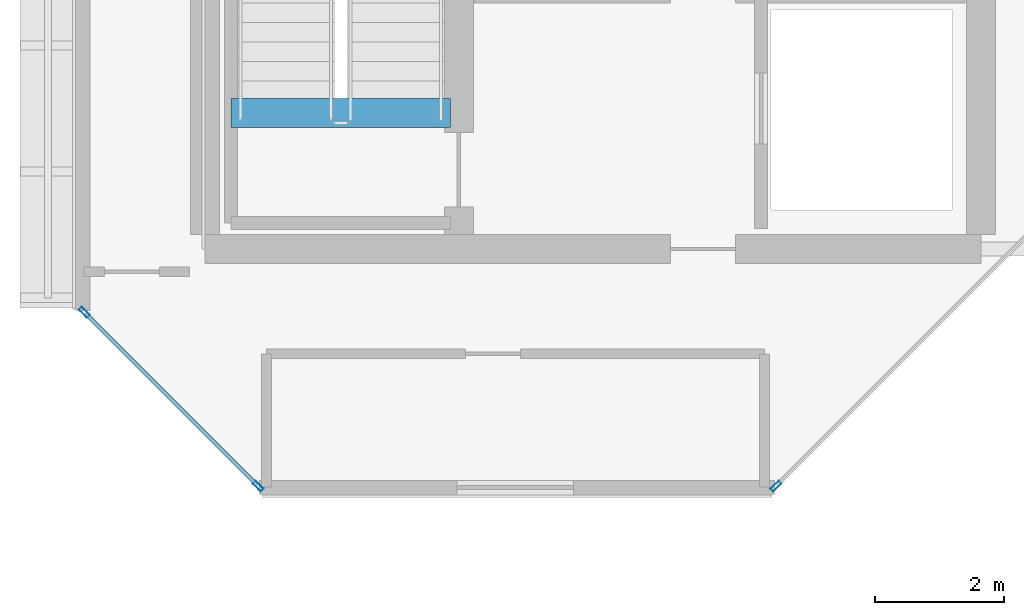
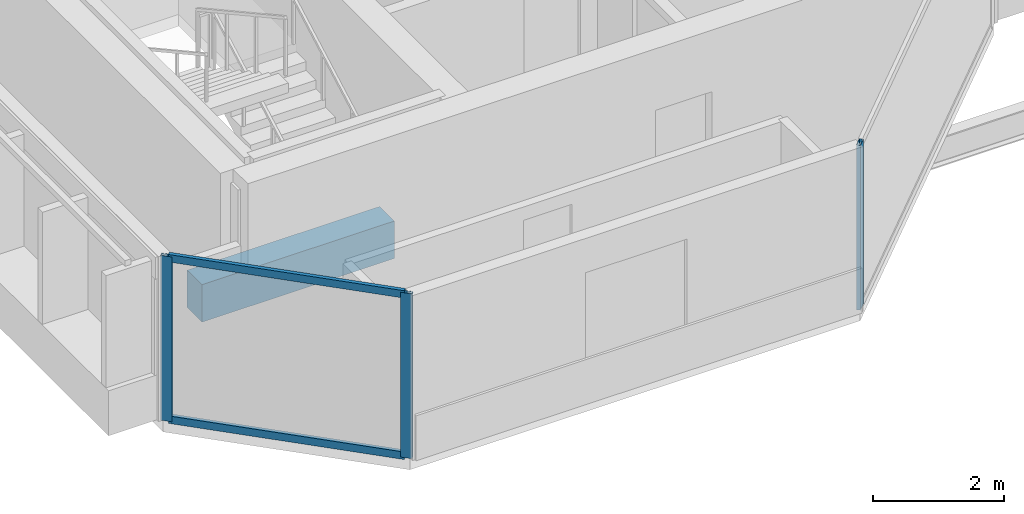
# One storey, part 2 of 29: 5 members, 1 beam, 2 elements without a shape of their own.
"""IFC4 building model written with IfcOpenShell, lengths in metres."""

import ifcopenshell
import ifcopenshell.guid

model = None  # the IFC model being written
_history = None  # IfcOwnerHistory: only IFC2X3 demands one
_inside = {}  # id of a spatial element -> (the spatial element, [elements in it])
_under = {}  # id of a project, library or spatial element -> (it, [spatial elements below it])
_declared = {}  # id of a project -> (the project, [libraries it declares])
_typed = {}  # id of a type object -> (the type object, [elements of that type])
_made_of = {}  # id of a material, layer set ... -> (it, [elements and type objects made of it])


def new_model(schema):
    """Start an empty IFC model of exactly this schema.

    Asked for "IFC4X3", IfcOpenShell would pick the latest addendum, in which some entities
    have other attributes; the version numbers below select the first issue.
    IFC2X3 requires an IfcOwnerHistory on every rooted entity: one is made here for all.
    """
    global model, _history
    if schema == "IFC4X3":
        model = ifcopenshell.file(schema_version=(4, 3, 0, 0))
    else:
        model = ifcopenshell.file(schema=schema)
    _inside.clear()
    _under.clear()
    _declared.clear()
    _typed.clear()
    _made_of.clear()
    _history = None
    if model.schema == "IFC2X3":
        org = make("IfcOrganization", Name="unknown")
        user = make(
            "IfcPersonAndOrganization",
            ThePerson=make("IfcPerson", FamilyName="unknown"),
            TheOrganization=org,
        )
        app = make(
            "IfcApplication",
            ApplicationDeveloper=org,
            Version="unknown",
            ApplicationFullName="unknown",
            ApplicationIdentifier="unknown",
        )
        _history = make(
            "IfcOwnerHistory",
            OwningUser=user,
            OwningApplication=app,
            ChangeAction="ADDED",
            CreationDate=0,
        )
    return model


def make(cls, **values):
    """One entity of the class cls with the attributes given. An attribute that is None is left unset."""
    return model.create_entity(
        cls, **{name: value for name, value in values.items() if value is not None}
    )


def rooted(cls, **values):
    """An entity with a GlobalId (a new one), such as an element, a storey or a relation."""
    return make(cls, GlobalId=ifcopenshell.guid.new(), OwnerHistory=_history, **values)


def si_unit(unit_type, name, prefix=None):
    """IfcSIUnit, for example si_unit("LENGTHUNIT", "METRE", prefix="MILLI")."""
    return make("IfcSIUnit", UnitType=unit_type, Prefix=prefix, Name=name)


def assignment(units):
    """IfcUnitAssignment: the units of a project."""
    return None if units is None else make("IfcUnitAssignment", Units=units)


def point(xyz):
    """IfcCartesianPoint."""
    return None if xyz is None else make("IfcCartesianPoint", Coordinates=xyz)


def direction(xyz):
    """IfcDirection."""
    return None if xyz is None else make("IfcDirection", DirectionRatios=xyz)


def frame(location, z_axis=None, x_axis=None):
    """IfcAxis2Placement3D, a coordinate frame: its origin and axes. An axis left out is left unset."""
    return make(
        "IfcAxis2Placement3D",
        Location=point(location),
        Axis=direction(z_axis),
        RefDirection=direction(x_axis),
    )


def frame_2d(location, x_axis=None):
    """IfcAxis2Placement2D, a coordinate frame in the plane: its origin and x axis."""
    return make(
        "IfcAxis2Placement2D", Location=point(location), RefDirection=direction(x_axis)
    )


def origin():
    """The frame at (0, 0, 0) with its axes left unset."""
    return frame((0.0, 0.0, 0.0))


def origin_2d():
    """The frame at (0, 0) in the plane with its x axis left unset."""
    return frame_2d((0.0, 0.0))


def place(relative_to, where):
    """IfcLocalPlacement: puts the frame where relative to a parent placement (None: the world)."""
    return make(
        "IfcLocalPlacement", PlacementRelTo=relative_to, RelativePlacement=where
    )


def context(
    kind, dimensions, precision=None, world=None, true_north=None, identifier=None
):
    """IfcGeometricRepresentationContext, for example the 3D "Model" context."""
    return make(
        "IfcGeometricRepresentationContext",
        ContextIdentifier=identifier,
        ContextType=kind,
        CoordinateSpaceDimension=dimensions,
        Precision=precision,
        WorldCoordinateSystem=world,
        TrueNorth=true_north,
    )


def subcontext(parent, identifier, kind, view, scale=None):
    """IfcGeometricRepresentationSubContext, for example "Body" below "Model"."""
    return make(
        "IfcGeometricRepresentationSubContext",
        ContextIdentifier=identifier,
        ContextType=kind,
        ParentContext=parent,
        TargetScale=scale,
        TargetView=view,
    )


def project(units=None, contexts=None):
    """IfcProject with its units and contexts."""
    return rooted(
        "IfcProject",
        Name="project",
        RepresentationContexts=contexts,
        UnitsInContext=assignment(units),
    )


def spatial(cls, under=None, at=None, **own):
    """A site, building, storey or space (cls), placed at a placement, below another one or the project."""
    s = rooted(cls, ObjectPlacement=at, **own)
    if under is not None:
        _under.setdefault(under.id(), (under, []))[1].append(s)
    return s


def profile(cls, at=None, kind="AREA", **sizes):
    """A parametric profile (cls). Its sizes go by their IFC names, for example OverallWidth=200.0."""
    return make(cls, ProfileType=kind, Position=at, **sizes)


def rectangle(**sizes):
    """IfcRectangleProfileDef."""
    return profile("IfcRectangleProfileDef", **sizes)


def hollow_rectangle(**sizes):
    """IfcRectangleHollowProfileDef."""
    return profile("IfcRectangleHollowProfileDef", **sizes)


def extrude(swept, where, along, depth):
    """IfcExtrudedAreaSolid: the profile swept, set in the frame where, extruded along a direction by depth."""
    return make(
        "IfcExtrudedAreaSolid",
        SweptArea=swept,
        Position=where,
        ExtrudedDirection=direction(along),
        Depth=depth,
    )


def shape(context_of_items, identifier, shape_type, items):
    """IfcShapeRepresentation: the items that make up one representation, for example the "Body"."""
    return make(
        "IfcShapeRepresentation",
        ContextOfItems=context_of_items,
        RepresentationIdentifier=identifier,
        RepresentationType=shape_type,
        Items=items,
    )


def material(Name=None, Category=None):
    """IfcMaterial."""
    return make("IfcMaterial", Name=Name, Category=Category)


def layer(
    of_material, thickness, ventilated=None, Name=None, Category=None, Priority=None
):
    """IfcMaterialLayer: one layer of a wall or slab, of a material (None: an air gap)."""
    return make(
        "IfcMaterialLayer",
        Material=of_material,
        LayerThickness=thickness,
        IsVentilated=ventilated,
        Name=Name,
        Category=Category,
        Priority=Priority,
    )


def layer_set(layers, Name=None):
    """IfcMaterialLayerSet."""
    return make("IfcMaterialLayerSet", MaterialLayers=layers, LayerSetName=Name)


def material_profile(
    of_material, cross_section, Name=None, Category=None, Priority=None
):
    """IfcMaterialProfile: a cross section and its material."""
    return make(
        "IfcMaterialProfile",
        Name=Name,
        Material=of_material,
        Profile=cross_section,
        Priority=Priority,
        Category=Category,
    )


def profile_set(profiles, Name=None, composite=None):
    """IfcMaterialProfileSet."""
    return make(
        "IfcMaterialProfileSet",
        Name=Name,
        MaterialProfiles=profiles,
        CompositeProfile=composite,
    )


def made_of(thing, what):
    """Note that an element or type object is made of a material, layer set ...; save() writes the relation."""
    if what is not None:
        _made_of.setdefault(what.id(), (what, []))[1].append(thing)
    return thing


def type_object(cls, material=None, **own):
    """A type object (cls), such as IfcWallType, which elements share."""
    return made_of(rooted(cls, **own), material)


def element(
    cls,
    number,
    at=None,
    inside=None,
    cuts=None,
    type_object=None,
    material=None,
    context=None,
    identifier="Body",
    shape_type=None,
    held_by="IfcProductDefinitionShape",
    body=None,
    shapes=None,
    **own,
):
    """One element of the class cls, such as IfcWall. Its Tag is "e" and its number.

    at: its placement. inside: the storey or other place that contains it. cuts: it is an
    opening in that element (IfcRelVoidsElement). A single representation is given by context,
    identifier, shape_type and body (its items); several are given by shapes. held_by: the class
    of the entity that holds the representations. save() writes the other relations.
    """
    e = rooted(cls, Tag="e%d" % number, ObjectPlacement=at, **own)
    if body is not None:
        shapes = [shape(context, identifier, shape_type, body)]
    if shapes is not None:
        e.Representation = make(held_by, Representations=shapes)
    if inside is not None:
        _inside.setdefault(inside.id(), (inside, []))[1].append(e)
    if cuts is not None:
        rooted(
            "IfcRelVoidsElement", RelatingBuildingElement=cuts, RelatedOpeningElement=e
        )
    if type_object is not None:
        _typed.setdefault(type_object.id(), (type_object, []))[1].append(e)
    return made_of(e, material)


def aggregate(whole, parts):
    """IfcRelAggregates: a whole, such as a stair, and the parts it consists of."""
    return rooted("IfcRelAggregates", RelatingObject=whole, RelatedObjects=parts)


def save(model, path):
    """Write the relations noted so far, then the file.

    IfcRelAggregates (storeys below a building ...), IfcRelContainedInSpatialStructure (elements
    in a storey), IfcRelDefinesByType, IfcRelAssociatesMaterial and IfcRelDeclares: one each for
    every whole, place, type object, material and project.
    """
    for whole, parts in _under.values():
        aggregate(whole, parts)
    for where, things in _inside.values():
        rooted(
            "IfcRelContainedInSpatialStructure",
            RelatedElements=things,
            RelatingStructure=where,
        )
    for kind, things in _typed.values():
        rooted("IfcRelDefinesByType", RelatedObjects=things, RelatingType=kind)
    for what, things in _made_of.values():
        rooted("IfcRelAssociatesMaterial", RelatedObjects=things, RelatingMaterial=what)
    for by, libraries in _declared.values():
        rooted("IfcRelDeclares", RelatingContext=by, RelatedDefinitions=libraries)
    model.write(path)


model = new_model("IFC4")

# Units and contexts
model_context = context("Model", 3, precision=1e-05, world=origin(), true_north=direction((0.0, 1.0)))
body_context = subcontext(model_context, "Body", "Model", "MODEL_VIEW")
ifc_project = project(units=[si_unit("LENGTHUNIT", "METRE"), si_unit("AREAUNIT", "SQUARE_METRE"), si_unit("VOLUMEUNIT", "CUBIC_METRE"), si_unit("PLANEANGLEUNIT", "RADIAN"), si_unit("MASSUNIT", "GRAM", prefix="KILO")], contexts=[model_context])

# Site, building, storey
site_placement = place(None, origin())
site = spatial("IfcSite", under=ifc_project, at=site_placement, CompositionType="ELEMENT")
building_placement = place(site_placement, origin())
building = spatial("IfcBuilding", under=site, at=building_placement, Name="Tanjung Sevakor Pilgrim Tower", CompositionType="ELEMENT")
storey_placement = place(building_placement, frame((0.0, 0.0, 232.64990234375)))
storey = spatial("IfcBuildingStorey", under=building, at=storey_placement, Name="L65", CompositionType="ELEMENT", Elevation=232.64990234375)

# Beam
ifc_material_1 = material(Name="Concrete C60/75", Category="concrete")
ifc_material_profile_1 = material_profile(ifc_material_1, rectangle(XDim=0.449951171875, YDim=0.699951171875, at=origin_2d()))
ifc_profile_set_1 = profile_set([ifc_material_profile_1], Name="Concrete C60/75")
beam_type = type_object("IfcBeamType", Name="BM-B-LN3-RC-BM_450x700", PredefinedType="LINTEL", material=ifc_profile_set_1)
beam_placement = place(storey_placement, frame((24.39990234375, 26.699951171875, -0.349853515625), z_axis=(1.0, 0.0, 0.0), x_axis=(0.0, 1.0, 0.0)))
element("IfcBeam", 1, at=beam_placement, inside=storey, type_object=beam_type, Name="L65 TS-W1 Stair Threshold Beam", PredefinedType="LINTEL", context=body_context, shape_type="SweptSolid", body=[
    extrude(rectangle(XDim=0.449951171875, YDim=0.699951171875, at=origin_2d()), origin(), (0.0, 0.0, 1.0), 3.400146484375),
])

# Curtain wall, member
ifc_material_2 = material(Name="Aluminium 6063-T6 and Low-E Glass", Category="aluminium")
ifc_layer = layer(ifc_material_2, 0.179931640625)
ifc_layer_set = layer_set([ifc_layer], Name="CW-SYS-CHAM")
curtain_wall_type = type_object("IfcCurtainWallType", Name="CW-SYS-CHAM", PredefinedType="NOTDEFINED", material=ifc_layer_set)
curtain_wall_1_placement = place(storey_placement, origin())
curtain_wall_1 = element("IfcCurtainWall", 2, at=curtain_wall_1_placement, inside=storey, type_object=curtain_wall_type, Name="L65 Curtain Wall CW-CHM-L65-WEST-1", PredefinedType="NOTDEFINED")
ifc_material_3 = material(Name="Aluminium 6063-T6", Category="aluminium")
ifc_material_profile_2 = material_profile(ifc_material_3, hollow_rectangle(XDim=0.06494140625, YDim=0.179931640625, WallThickness=0.00390625, at=origin_2d()))
ifc_profile_set_2 = profile_set([ifc_material_profile_2], Name="Aluminium 6063-T6")
member_type_1 = type_object("IfcMemberType", Name="TYPE-CWM-1", PredefinedType="MULLION", material=ifc_profile_set_2)
member_1_placement = place(storey_placement, frame((32.827392578125, 20.932861328125, 0.0), z_axis=(0.0, 0.0, 1.0), x_axis=(-0.707106781187, 0.707106781187, 0.0)))
member_1 = element("IfcMember", 3, at=member_1_placement, type_object=member_type_1, Name="CW-CHM mullion 1", PredefinedType="MULLION", context=body_context, shape_type="SweptSolid", body=[
    extrude(hollow_rectangle(XDim=0.06494140625, YDim=0.179931640625, WallThickness=0.00390625, at=origin_2d()), origin(), (0.0, 0.0, 1.0), 3.080078125),
])
aggregate(curtain_wall_1, [member_1])

# Curtain wall, members
curtain_wall_2_placement = place(storey_placement, origin())
curtain_wall_2 = element("IfcCurtainWall", 4, at=curtain_wall_2_placement, inside=storey, type_object=curtain_wall_type, Name="L65 Curtain Wall CW-CHM-L65-WEST-7", PredefinedType="NOTDEFINED")
member_2_placement = place(storey_placement, frame((22.133056640625, 23.62255859375, 0.0), z_axis=(0.0, 0.0, 1.0), x_axis=(0.707106781187, 0.707106781187, 0.0)))
member_2 = element("IfcMember", 5, at=member_2_placement, type_object=member_type_1, Name="CW-CHM mullion 1", PredefinedType="MULLION", context=body_context, shape_type="SweptSolid", body=[
    extrude(hollow_rectangle(XDim=0.06494140625, YDim=0.179931640625, WallThickness=0.00390625, at=origin_2d()), origin(), (0.0, 0.0, 1.0), 3.080078125),
])
member_3_placement = place(storey_placement, frame((24.822509765625, 20.932861328125, 0.0), z_axis=(0.0, 0.0, 1.0), x_axis=(0.707106781187, 0.707106781187, 0.0)))
member_3 = element("IfcMember", 6, at=member_3_placement, type_object=member_type_1, Name="CW-CHM mullion 2", PredefinedType="MULLION", context=body_context, shape_type="SweptSolid", body=[
    extrude(hollow_rectangle(XDim=0.06494140625, YDim=0.179931640625, WallThickness=0.00390625, at=origin_2d()), origin(), (0.0, 0.0, 1.0), 3.080078125),
])
ifc_material_4 = material(Name="Aluminium 6063-T6", Category="aluminium")
ifc_material_profile_3 = material_profile(ifc_material_4, hollow_rectangle(XDim=0.06494140625, YDim=0.139892578125, WallThickness=0.00390625, at=origin_2d()))
ifc_profile_set_3 = profile_set([ifc_material_profile_3], Name="Aluminium 6063-T6")
member_type_2 = type_object("IfcMemberType", Name="TYPE-CWT-1", PredefinedType="USERDEFINED", material=ifc_profile_set_3)
member_4_placement = place(storey_placement, frame((22.156005859375, 23.599609375, 0.03271484375), z_axis=(0.707106781187, -0.707106781187, 0.0), x_axis=(0.707106781187, 0.707106781187, 0.0)))
member_4 = element("IfcMember", 7, at=member_4_placement, type_object=member_type_2, Name="CW-CHM transom 1.1", ObjectType="TRANSOM", PredefinedType="USERDEFINED", context=body_context, shape_type="SweptSolid", body=[
    extrude(hollow_rectangle(XDim=0.06494140625, YDim=0.139892578125, WallThickness=0.00390625, at=origin_2d()), origin(), (0.0, 0.0, 1.0), 3.738525390625),
])
member_5_placement = place(storey_placement, frame((22.156005859375, 23.599609375, 3.047607421875), z_axis=(0.707106781187, -0.707106781187, 0.0), x_axis=(0.707106781187, 0.707106781187, 0.0)))
member_5 = element("IfcMember", 8, at=member_5_placement, type_object=member_type_2, Name="CW-CHM transom 1.2", ObjectType="TRANSOM", PredefinedType="USERDEFINED", context=body_context, shape_type="SweptSolid", body=[
    extrude(hollow_rectangle(XDim=0.06494140625, YDim=0.139892578125, WallThickness=0.00390625, at=origin_2d()), origin(), (0.0, 0.0, 1.0), 3.738525390625),
])
aggregate(curtain_wall_2, [member_2, member_3, member_4, member_5])

save(model, "model.ifc")
